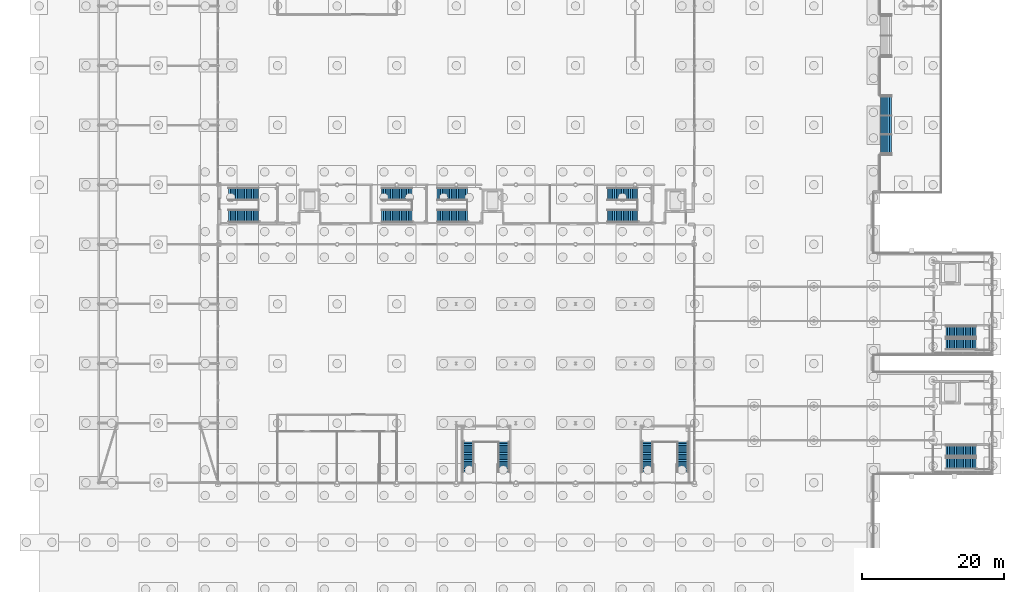
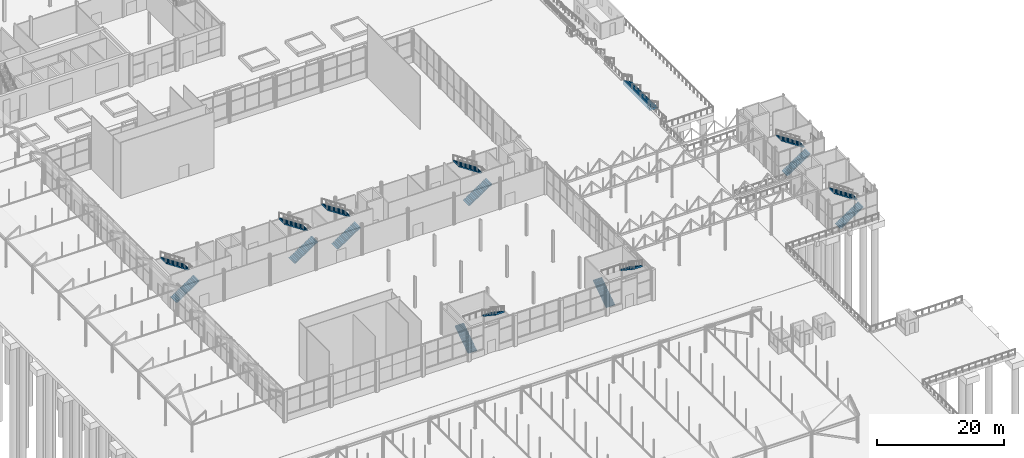
# One storey, part 192 of 212: 17 stair flights, 9 elements without a shape of their own.
"""IFC4 building model written with IfcOpenShell, lengths in metres."""

from ifc_helpers import new_model, si_unit, direction, frame, origin, place, context, subcontext, project, spatial, polyline, outline, extrude, material, type_object, element, aggregate, save


model = new_model("IFC4")

# Units and contexts
model_context = context("Model", 3, precision=1e-05, world=origin(), true_north=direction((0.0, 1.0)))
body_context = subcontext(model_context, "Body", "Model", "MODEL_VIEW")
ifc_project = project(units=[si_unit("LENGTHUNIT", "METRE"), si_unit("AREAUNIT", "SQUARE_METRE"), si_unit("VOLUMEUNIT", "CUBIC_METRE"), si_unit("PLANEANGLEUNIT", "RADIAN"), si_unit("MASSUNIT", "GRAM", prefix="KILO")], contexts=[model_context])

# Site, building, storey
site_placement = place(None, origin())
site = spatial("IfcSite", under=ifc_project, at=site_placement, CompositionType="ELEMENT")
building_placement = place(site_placement, origin())
building = spatial("IfcBuilding", under=site, at=building_placement, Name="Catenary Quay Ferry Terminal", CompositionType="ELEMENT")
storey_placement = place(building_placement, origin())
storey = spatial("IfcBuildingStorey", under=building, at=storey_placement, Name="L00", CompositionType="ELEMENT", Elevation=0.0)

# Stair, stair flight
ifc_material_1 = material(Name="Concrete C35/45", Category="concrete")
stair_type_1 = type_object("IfcStairType", Name="RTS8400", PredefinedType="STRAIGHT_RUN_STAIR", material=ifc_material_1)
stair_1_placement = place(storey_placement, origin())
stair_1 = element("IfcStair", 1, at=stair_1_placement, inside=storey, type_object=stair_type_1, Name="River steps 1", PredefinedType="STRAIGHT_RUN_STAIR")
ifc_material_2 = material(Name="Concrete C35/45", Category="concrete")
stair_flight_type_1 = type_object("IfcStairFlightType", Name="RTF8400", PredefinedType="STRAIGHT", material=ifc_material_2)
stair_flight_1_placement = place(storey_placement, frame((120.1298828125, 117.60009765625, -0.89990234375), z_axis=(0.0, 0.0, 1.0), x_axis=(-1.0, 0.0, 0.0)))
stair_flight_1 = element("IfcStairFlight", 2, at=stair_flight_1_placement, type_object=stair_flight_type_1, Name="RS1 flight 1", NumberOfRisers=6, NumberOfTreads=5, PredefinedType="STRAIGHT", RiserHeight=0.15, TreadLength=0.3, context=body_context, shape_type="SweptSolid", body=[
    extrude(outline(polyline([(0.0, 0.0), (0.0, 0.021484375), (0.0, 0.04296875), (0.0, 0.064208984375), (0.0, 0.085693359375), (0.0, 0.107177734375), (0.0, 0.128662109375), (0.0, 0.14990234375), (0.300048828125, 0.14990234375), (0.300048828125, 0.300048828125), (0.60009765625, 0.300048828125), (0.60009765625, 0.449951171875), (0.89990234375, 0.449951171875), (0.89990234375, 0.60009765625), (1.199951171875, 0.60009765625), (1.199951171875, 0.75), (1.5, 0.75), (1.5, 0.89990234375), (1.510009765625, 0.89990234375), (1.510009765625, 0.771484375), (1.510009765625, 0.64306640625), (1.510009765625, 0.5146484375), (1.510009765625, 0.38623046875), (1.510009765625, 0.257568359375), (1.510009765625, 0.129150390625), (1.510009765625, 0.000732421875), (1.49853515625, 0.0), (0.0, 0.0)])), frame((0.0, 4.199951171875, 0.0), z_axis=(0.0, -1.0, 0.0), x_axis=(1.0, 0.0, 0.0)), (0.0, 0.0, 1.0), 8.39990234375),
])
aggregate(stair_1, [stair_flight_1])

# Stair, stair flights
ifc_material_3 = material(Name="Concrete C35/45", Category="concrete")
stair_type_2 = type_object("IfcStairType", Name="STX1600", PredefinedType="HALF_TURN_STAIR", material=ifc_material_3)
stair_2_placement = place(storey_placement, origin())
stair_2 = element("IfcStair", 3, at=stair_2_placement, inside=storey, type_object=stair_type_2, Name="Stair HB1 L00 to L01", PredefinedType="HALF_TURN_STAIR")
ifc_material_4 = material(Name="Concrete C35/45", Category="concrete")
stair_flight_type_2 = type_object("IfcStairFlightType", Name="SFX1600", PredefinedType="STRAIGHT", material=ifc_material_4)
stair_flight_2_placement = place(storey_placement, frame((127.800048828125, 69.89990234375, 0.0), z_axis=(0.0, 0.0, 1.0), x_axis=(1.0, 0.0, 0.0)))
stair_flight_2 = element("IfcStairFlight", 4, at=stair_flight_2_placement, type_object=stair_flight_type_2, Name="HB1-L00 flight 1", NumberOfRisers=18, NumberOfTreads=17, PredefinedType="STRAIGHT", RiserHeight=0.166666667, TreadLength=0.25, context=body_context, shape_type="SweptSolid", body=[
    extrude(outline(polyline([(-0.010009765625, 0.0), (-0.010009765625, 0.02392578125), (-0.010009765625, 0.047607421875), (-0.010009765625, 0.071533203125), (-0.010009765625, 0.09521484375), (-0.010009765625, 0.119140625), (-0.010009765625, 0.142822265625), (-0.010009765625, 0.166748046875), (0.0, 0.166748046875), (0.25, 0.166748046875), (0.25, 0.333251953125), (0.5, 0.333251953125), (0.5, 0.5), (0.75, 0.5), (0.75, 0.666748046875), (1.0, 0.666748046875), (1.0, 0.833251953125), (1.25, 0.833251953125), (1.25, 1.0), (1.5, 1.0), (1.5, 1.166748046875), (1.75, 1.166748046875), (1.75, 1.333251953125), (2.0, 1.333251953125), (2.0, 1.5), (2.25, 1.5), (2.25, 1.666748046875), (2.5, 1.666748046875), (2.5, 1.833251953125), (2.75, 1.833251953125), (2.75, 2.0), (3.0, 2.0), (3.0, 2.166748046875), (3.25, 2.166748046875), (3.25, 2.333251953125), (3.5, 2.333251953125), (3.5, 2.5), (3.75, 2.5), (3.75, 2.666748046875), (4.0, 2.666748046875), (4.0, 2.833251953125), (4.25, 2.833251953125), (4.25, 3.0), (4.25, 2.950439453125), (4.25, 2.90087890625), (4.25, 2.851318359375), (4.25, 2.8017578125), (4.25, 2.752197265625), (4.25, 2.70263671875), (4.25, 2.653076171875), (0.270263671875, 0.0), (-0.010009765625, 0.0)])), frame((0.0, 0.800048828125, 0.0), z_axis=(0.0, -1.0, 0.0), x_axis=(1.0, 0.0, 0.0)), (0.0, 0.0, 1.0), 1.60009765625),
])
stair_flight_3_placement = place(storey_placement, frame((132.050048828125, 71.699951171875, 3.0), z_axis=(0.0, 0.0, 1.0), x_axis=(-1.0, 0.0, 0.0)))
stair_flight_3 = element("IfcStairFlight", 5, at=stair_flight_3_placement, type_object=stair_flight_type_2, Name="HB1-L00 flight 2", NumberOfRisers=18, NumberOfTreads=17, PredefinedType="STRAIGHT", RiserHeight=0.166666667, TreadLength=0.25, context=body_context, shape_type="SweptSolid", body=[
    extrude(outline(polyline([(0.0, 0.0), (0.0, 0.02392578125), (0.0, 0.047607421875), (0.0, 0.071533203125), (0.0, 0.09521484375), (0.0, 0.119140625), (0.0, 0.142822265625), (0.0, 0.166748046875), (0.25, 0.166748046875), (0.25, 0.333251953125), (0.5, 0.333251953125), (0.5, 0.5), (0.75, 0.5), (0.75, 0.666748046875), (1.0, 0.666748046875), (1.0, 0.833251953125), (1.25, 0.833251953125), (1.25, 1.0), (1.5, 1.0), (1.5, 1.166748046875), (1.75, 1.166748046875), (1.75, 1.333251953125), (2.0, 1.333251953125), (2.0, 1.5), (2.25, 1.5), (2.25, 1.666748046875), (2.5, 1.666748046875), (2.5, 1.833251953125), (2.75, 1.833251953125), (2.75, 2.0), (3.0, 2.0), (3.0, 2.166748046875), (3.25, 2.166748046875), (3.25, 2.333251953125), (3.5, 2.333251953125), (3.5, 2.5), (3.75, 2.5), (3.75, 2.666748046875), (4.0, 2.666748046875), (4.0, 2.833251953125), (4.25, 2.833251953125), (4.25, 3.0), (4.260009765625, 3.0), (4.260009765625, 2.950439453125), (4.260009765625, 2.90087890625), (4.260009765625, 2.851318359375), (4.260009765625, 2.8017578125), (4.260009765625, 2.752197265625), (4.260009765625, 2.70263671875), (4.260009765625, 2.653076171875), (0.270263671875, 0.0), (0.0, 0.0)])), frame((0.0, 0.800048828125, 0.0), z_axis=(0.0, -1.0, 0.0), x_axis=(1.0, 0.0, 0.0)), (0.0, 0.0, 1.0), 1.60009765625),
])
aggregate(stair_2, [stair_flight_2, stair_flight_3])

stair_3_placement = place(storey_placement, origin())
stair_3 = element("IfcStair", 6, at=stair_3_placement, inside=storey, type_object=stair_type_2, Name="Stair HB2 L00 to L01", PredefinedType="HALF_TURN_STAIR")
stair_flight_4_placement = place(storey_placement, frame((127.800048828125, 86.699951171875, 0.0), z_axis=(0.0, 0.0, 1.0), x_axis=(1.0, 0.0, 0.0)))
stair_flight_4 = element("IfcStairFlight", 7, at=stair_flight_4_placement, type_object=stair_flight_type_2, Name="HB2-L00 flight 1", NumberOfRisers=18, NumberOfTreads=17, PredefinedType="STRAIGHT", RiserHeight=0.166666667, TreadLength=0.25, context=body_context, shape_type="SweptSolid", body=[
    extrude(outline(polyline([(-0.010009765625, 0.0), (-0.010009765625, 0.02392578125), (-0.010009765625, 0.047607421875), (-0.010009765625, 0.071533203125), (-0.010009765625, 0.09521484375), (-0.010009765625, 0.119140625), (-0.010009765625, 0.142822265625), (-0.010009765625, 0.166748046875), (0.0, 0.166748046875), (0.25, 0.166748046875), (0.25, 0.333251953125), (0.5, 0.333251953125), (0.5, 0.5), (0.75, 0.5), (0.75, 0.666748046875), (1.0, 0.666748046875), (1.0, 0.833251953125), (1.25, 0.833251953125), (1.25, 1.0), (1.5, 1.0), (1.5, 1.166748046875), (1.75, 1.166748046875), (1.75, 1.333251953125), (2.0, 1.333251953125), (2.0, 1.5), (2.25, 1.5), (2.25, 1.666748046875), (2.5, 1.666748046875), (2.5, 1.833251953125), (2.75, 1.833251953125), (2.75, 2.0), (3.0, 2.0), (3.0, 2.166748046875), (3.25, 2.166748046875), (3.25, 2.333251953125), (3.5, 2.333251953125), (3.5, 2.5), (3.75, 2.5), (3.75, 2.666748046875), (4.0, 2.666748046875), (4.0, 2.833251953125), (4.25, 2.833251953125), (4.25, 3.0), (4.25, 2.950439453125), (4.25, 2.90087890625), (4.25, 2.851318359375), (4.25, 2.8017578125), (4.25, 2.752197265625), (4.25, 2.70263671875), (4.25, 2.653076171875), (0.270263671875, 0.0), (-0.010009765625, 0.0)])), frame((0.0, 0.800048828125, 0.0), z_axis=(0.0, -1.0, 0.0), x_axis=(1.0, 0.0, 0.0)), (0.0, 0.0, 1.0), 1.60009765625),
])
stair_flight_5_placement = place(storey_placement, frame((132.050048828125, 88.5, 3.0), z_axis=(0.0, 0.0, 1.0), x_axis=(-1.0, 0.0, 0.0)))
stair_flight_5 = element("IfcStairFlight", 8, at=stair_flight_5_placement, type_object=stair_flight_type_2, Name="HB2-L00 flight 2", NumberOfRisers=18, NumberOfTreads=17, PredefinedType="STRAIGHT", RiserHeight=0.166666667, TreadLength=0.25, context=body_context, shape_type="SweptSolid", body=[
    extrude(outline(polyline([(0.0, 0.0), (0.0, 0.02392578125), (0.0, 0.047607421875), (0.0, 0.071533203125), (0.0, 0.09521484375), (0.0, 0.119140625), (0.0, 0.142822265625), (0.0, 0.166748046875), (0.25, 0.166748046875), (0.25, 0.333251953125), (0.5, 0.333251953125), (0.5, 0.5), (0.75, 0.5), (0.75, 0.666748046875), (1.0, 0.666748046875), (1.0, 0.833251953125), (1.25, 0.833251953125), (1.25, 1.0), (1.5, 1.0), (1.5, 1.166748046875), (1.75, 1.166748046875), (1.75, 1.333251953125), (2.0, 1.333251953125), (2.0, 1.5), (2.25, 1.5), (2.25, 1.666748046875), (2.5, 1.666748046875), (2.5, 1.833251953125), (2.75, 1.833251953125), (2.75, 2.0), (3.0, 2.0), (3.0, 2.166748046875), (3.25, 2.166748046875), (3.25, 2.333251953125), (3.5, 2.333251953125), (3.5, 2.5), (3.75, 2.5), (3.75, 2.666748046875), (4.0, 2.666748046875), (4.0, 2.833251953125), (4.25, 2.833251953125), (4.25, 3.0), (4.260009765625, 3.0), (4.260009765625, 2.950439453125), (4.260009765625, 2.90087890625), (4.260009765625, 2.851318359375), (4.260009765625, 2.8017578125), (4.260009765625, 2.752197265625), (4.260009765625, 2.70263671875), (4.260009765625, 2.653076171875), (0.270263671875, 0.0), (0.0, 0.0)])), frame((0.0, 0.800048828125, 0.0), z_axis=(0.0, -1.0, 0.0), x_axis=(1.0, 0.0, 0.0)), (0.0, 0.0, 1.0), 1.60009765625),
])
aggregate(stair_3, [stair_flight_4, stair_flight_5])

stair_4_placement = place(storey_placement, origin())
stair_4 = element("IfcStair", 9, at=stair_4_placement, inside=storey, type_object=stair_type_2, Name="Stair TS5 L00 to L01", PredefinedType="HALF_TURN_STAIR")
stair_flight_6_placement = place(storey_placement, frame((85.699951171875, 68.699951171875, 0.0), z_axis=(0.0, 0.0, 1.0), x_axis=(0.0, 1.0, 0.0)))
stair_flight_6 = element("IfcStairFlight", 10, at=stair_flight_6_placement, type_object=stair_flight_type_2, Name="TS5-L00 flight 1", NumberOfRisers=18, NumberOfTreads=17, PredefinedType="STRAIGHT", RiserHeight=0.166666667, TreadLength=0.25, context=body_context, shape_type="SweptSolid", body=[
    extrude(outline(polyline([(-0.010009765625, 0.0), (-0.010009765625, 0.02392578125), (-0.010009765625, 0.047607421875), (-0.010009765625, 0.071533203125), (-0.010009765625, 0.09521484375), (-0.010009765625, 0.119140625), (-0.010009765625, 0.142822265625), (-0.010009765625, 0.166748046875), (0.0, 0.166748046875), (0.25, 0.166748046875), (0.25, 0.333251953125), (0.5, 0.333251953125), (0.5, 0.5), (0.75, 0.5), (0.75, 0.666748046875), (1.0, 0.666748046875), (1.0, 0.833251953125), (1.25, 0.833251953125), (1.25, 1.0), (1.5, 1.0), (1.5, 1.166748046875), (1.75, 1.166748046875), (1.75, 1.333251953125), (2.0, 1.333251953125), (2.0, 1.5), (2.25, 1.5), (2.25, 1.666748046875), (2.5, 1.666748046875), (2.5, 1.833251953125), (2.75, 1.833251953125), (2.75, 2.0), (3.0, 2.0), (3.0, 2.166748046875), (3.25, 2.166748046875), (3.25, 2.333251953125), (3.5, 2.333251953125), (3.5, 2.5), (3.75, 2.5), (3.75, 2.666748046875), (4.0, 2.666748046875), (4.0, 2.833251953125), (4.25, 2.833251953125), (4.25, 3.0), (4.25, 2.950439453125), (4.25, 2.90087890625), (4.25, 2.851318359375), (4.25, 2.8017578125), (4.25, 2.752197265625), (4.25, 2.70263671875), (4.25, 2.653076171875), (0.270263671875, 0.0), (-0.010009765625, 0.0)])), frame((0.0, 0.800048828125, 0.0), z_axis=(0.0, -1.0, 0.0), x_axis=(1.0, 0.0, 0.0)), (0.0, 0.0, 1.0), 1.60009765625),
])
stair_flight_7_placement = place(storey_placement, frame((90.699951171875, 72.949951171875, 3.0), z_axis=(0.0, 0.0, 1.0), x_axis=(0.0, -1.0, 0.0)))
stair_flight_7 = element("IfcStairFlight", 11, at=stair_flight_7_placement, type_object=stair_flight_type_2, Name="TS5-L00 flight 2", NumberOfRisers=18, NumberOfTreads=17, PredefinedType="STRAIGHT", RiserHeight=0.166666667, TreadLength=0.25, context=body_context, shape_type="SweptSolid", body=[
    extrude(outline(polyline([(0.0, 0.0), (0.0, 0.02392578125), (0.0, 0.047607421875), (0.0, 0.071533203125), (0.0, 0.09521484375), (0.0, 0.119140625), (0.0, 0.142822265625), (0.0, 0.166748046875), (0.25, 0.166748046875), (0.25, 0.333251953125), (0.5, 0.333251953125), (0.5, 0.5), (0.75, 0.5), (0.75, 0.666748046875), (1.0, 0.666748046875), (1.0, 0.833251953125), (1.25, 0.833251953125), (1.25, 1.0), (1.5, 1.0), (1.5, 1.166748046875), (1.75, 1.166748046875), (1.75, 1.333251953125), (2.0, 1.333251953125), (2.0, 1.5), (2.25, 1.5), (2.25, 1.666748046875), (2.5, 1.666748046875), (2.5, 1.833251953125), (2.75, 1.833251953125), (2.75, 2.0), (3.0, 2.0), (3.0, 2.166748046875), (3.25, 2.166748046875), (3.25, 2.333251953125), (3.5, 2.333251953125), (3.5, 2.5), (3.75, 2.5), (3.75, 2.666748046875), (4.0, 2.666748046875), (4.0, 2.833251953125), (4.25, 2.833251953125), (4.25, 3.0), (4.260009765625, 3.0), (4.260009765625, 2.950439453125), (4.260009765625, 2.90087890625), (4.260009765625, 2.851318359375), (4.260009765625, 2.8017578125), (4.260009765625, 2.752197265625), (4.260009765625, 2.70263671875), (4.260009765625, 2.653076171875), (0.270263671875, 0.0), (0.0, 0.0)])), frame((0.0, 0.800048828125, 0.0), z_axis=(0.0, -1.0, 0.0), x_axis=(1.0, 0.0, 0.0)), (0.0, 0.0, 1.0), 1.60009765625),
])
aggregate(stair_4, [stair_flight_6, stair_flight_7])

stair_5_placement = place(storey_placement, origin())
stair_5 = element("IfcStair", 12, at=stair_5_placement, inside=storey, type_object=stair_type_2, Name="Stair TS6 L00 to L01", PredefinedType="HALF_TURN_STAIR")
stair_flight_8_placement = place(storey_placement, frame((60.5, 68.699951171875, 0.0), z_axis=(0.0, 0.0, 1.0), x_axis=(0.0, 1.0, 0.0)))
stair_flight_8 = element("IfcStairFlight", 13, at=stair_flight_8_placement, type_object=stair_flight_type_2, Name="TS6-L00 flight 1", NumberOfRisers=18, NumberOfTreads=17, PredefinedType="STRAIGHT", RiserHeight=0.166666667, TreadLength=0.25, context=body_context, shape_type="SweptSolid", body=[
    extrude(outline(polyline([(-0.010009765625, 0.0), (-0.010009765625, 0.02392578125), (-0.010009765625, 0.047607421875), (-0.010009765625, 0.071533203125), (-0.010009765625, 0.09521484375), (-0.010009765625, 0.119140625), (-0.010009765625, 0.142822265625), (-0.010009765625, 0.166748046875), (0.0, 0.166748046875), (0.25, 0.166748046875), (0.25, 0.333251953125), (0.5, 0.333251953125), (0.5, 0.5), (0.75, 0.5), (0.75, 0.666748046875), (1.0, 0.666748046875), (1.0, 0.833251953125), (1.25, 0.833251953125), (1.25, 1.0), (1.5, 1.0), (1.5, 1.166748046875), (1.75, 1.166748046875), (1.75, 1.333251953125), (2.0, 1.333251953125), (2.0, 1.5), (2.25, 1.5), (2.25, 1.666748046875), (2.5, 1.666748046875), (2.5, 1.833251953125), (2.75, 1.833251953125), (2.75, 2.0), (3.0, 2.0), (3.0, 2.166748046875), (3.25, 2.166748046875), (3.25, 2.333251953125), (3.5, 2.333251953125), (3.5, 2.5), (3.75, 2.5), (3.75, 2.666748046875), (4.0, 2.666748046875), (4.0, 2.833251953125), (4.25, 2.833251953125), (4.25, 3.0), (4.25, 2.950439453125), (4.25, 2.90087890625), (4.25, 2.851318359375), (4.25, 2.8017578125), (4.25, 2.752197265625), (4.25, 2.70263671875), (4.25, 2.653076171875), (0.270263671875, 0.0), (-0.010009765625, 0.0)])), frame((0.0, 0.800048828125, 0.0), z_axis=(0.0, -1.0, 0.0), x_axis=(1.0, 0.0, 0.0)), (0.0, 0.0, 1.0), 1.60009765625),
])
stair_flight_9_placement = place(storey_placement, frame((65.5, 72.949951171875, 3.0), z_axis=(0.0, 0.0, 1.0), x_axis=(0.0, -1.0, 0.0)))
stair_flight_9 = element("IfcStairFlight", 14, at=stair_flight_9_placement, type_object=stair_flight_type_2, Name="TS6-L00 flight 2", NumberOfRisers=18, NumberOfTreads=17, PredefinedType="STRAIGHT", RiserHeight=0.166666667, TreadLength=0.25, context=body_context, shape_type="SweptSolid", body=[
    extrude(outline(polyline([(0.0, 0.0), (0.0, 0.02392578125), (0.0, 0.047607421875), (0.0, 0.071533203125), (0.0, 0.09521484375), (0.0, 0.119140625), (0.0, 0.142822265625), (0.0, 0.166748046875), (0.25, 0.166748046875), (0.25, 0.333251953125), (0.5, 0.333251953125), (0.5, 0.5), (0.75, 0.5), (0.75, 0.666748046875), (1.0, 0.666748046875), (1.0, 0.833251953125), (1.25, 0.833251953125), (1.25, 1.0), (1.5, 1.0), (1.5, 1.166748046875), (1.75, 1.166748046875), (1.75, 1.333251953125), (2.0, 1.333251953125), (2.0, 1.5), (2.25, 1.5), (2.25, 1.666748046875), (2.5, 1.666748046875), (2.5, 1.833251953125), (2.75, 1.833251953125), (2.75, 2.0), (3.0, 2.0), (3.0, 2.166748046875), (3.25, 2.166748046875), (3.25, 2.333251953125), (3.5, 2.333251953125), (3.5, 2.5), (3.75, 2.5), (3.75, 2.666748046875), (4.0, 2.666748046875), (4.0, 2.833251953125), (4.25, 2.833251953125), (4.25, 3.0), (4.260009765625, 3.0), (4.260009765625, 2.950439453125), (4.260009765625, 2.90087890625), (4.260009765625, 2.851318359375), (4.260009765625, 2.8017578125), (4.260009765625, 2.752197265625), (4.260009765625, 2.70263671875), (4.260009765625, 2.653076171875), (0.270263671875, 0.0), (0.0, 0.0)])), frame((0.0, 0.800048828125, 0.0), z_axis=(0.0, -1.0, 0.0), x_axis=(1.0, 0.0, 0.0)), (0.0, 0.0, 1.0), 1.60009765625),
])
aggregate(stair_5, [stair_flight_8, stair_flight_9])

ifc_material_5 = material(Name="Concrete C35/45", Category="concrete")
stair_type_3 = type_object("IfcStairType", Name="STX1800", PredefinedType="HALF_TURN_STAIR", material=ifc_material_5)
stair_6_placement = place(storey_placement, origin())
stair_6 = element("IfcStair", 15, at=stair_6_placement, inside=storey, type_object=stair_type_3, Name="Stair TS1 L00 to L01", PredefinedType="HALF_TURN_STAIR")
ifc_material_6 = material(Name="Concrete C35/45", Category="concrete")
stair_flight_type_3 = type_object("IfcStairFlightType", Name="SFX1800", PredefinedType="STRAIGHT", material=ifc_material_6)
stair_flight_10_placement = place(storey_placement, frame((26.699951171875, 104.800048828125, 0.0), z_axis=(0.0, 0.0, 1.0), x_axis=(1.0, 0.0, 0.0)))
stair_flight_10 = element("IfcStairFlight", 16, at=stair_flight_10_placement, type_object=stair_flight_type_3, Name="TS1-L00 flight 1", NumberOfRisers=18, NumberOfTreads=17, PredefinedType="STRAIGHT", RiserHeight=0.166666667, TreadLength=0.25, context=body_context, shape_type="SweptSolid", body=[
    extrude(outline(polyline([(-0.010009765625, 0.0), (-0.010009765625, 0.02392578125), (-0.010009765625, 0.047607421875), (-0.010009765625, 0.071533203125), (-0.010009765625, 0.09521484375), (-0.010009765625, 0.119140625), (-0.010009765625, 0.142822265625), (-0.010009765625, 0.166748046875), (0.0, 0.166748046875), (0.25, 0.166748046875), (0.25, 0.333251953125), (0.5, 0.333251953125), (0.5, 0.5), (0.75, 0.5), (0.75, 0.666748046875), (1.0, 0.666748046875), (1.0, 0.833251953125), (1.25, 0.833251953125), (1.25, 1.0), (1.5, 1.0), (1.5, 1.166748046875), (1.75, 1.166748046875), (1.75, 1.333251953125), (2.0, 1.333251953125), (2.0, 1.5), (2.25, 1.5), (2.25, 1.666748046875), (2.5, 1.666748046875), (2.5, 1.833251953125), (2.75, 1.833251953125), (2.75, 2.0), (3.0, 2.0), (3.0, 2.166748046875), (3.25, 2.166748046875), (3.25, 2.333251953125), (3.5, 2.333251953125), (3.5, 2.5), (3.75, 2.5), (3.75, 2.666748046875), (4.0, 2.666748046875), (4.0, 2.833251953125), (4.25, 2.833251953125), (4.25, 3.0), (4.25, 2.950439453125), (4.25, 2.90087890625), (4.25, 2.851318359375), (4.25, 2.8017578125), (4.25, 2.752197265625), (4.25, 2.70263671875), (4.25, 2.653076171875), (0.270263671875, 0.0), (-0.010009765625, 0.0)])), frame((0.0, 0.89990234375, 0.0), z_axis=(0.0, -1.0, 0.0), x_axis=(1.0, 0.0, 0.0)), (0.0, 0.0, 1.0), 1.800048828125),
])
stair_flight_11_placement = place(storey_placement, frame((30.949951171875, 107.89990234375, 3.0), z_axis=(0.0, 0.0, 1.0), x_axis=(-1.0, 0.0, 0.0)))
stair_flight_11 = element("IfcStairFlight", 17, at=stair_flight_11_placement, type_object=stair_flight_type_3, Name="TS1-L00 flight 2", NumberOfRisers=18, NumberOfTreads=17, PredefinedType="STRAIGHT", RiserHeight=0.166666667, TreadLength=0.25, context=body_context, shape_type="SweptSolid", body=[
    extrude(outline(polyline([(0.0, 0.0), (0.0, 0.02392578125), (0.0, 0.047607421875), (0.0, 0.071533203125), (0.0, 0.09521484375), (0.0, 0.119140625), (0.0, 0.142822265625), (0.0, 0.166748046875), (0.25, 0.166748046875), (0.25, 0.333251953125), (0.5, 0.333251953125), (0.5, 0.5), (0.75, 0.5), (0.75, 0.666748046875), (1.0, 0.666748046875), (1.0, 0.833251953125), (1.25, 0.833251953125), (1.25, 1.0), (1.5, 1.0), (1.5, 1.166748046875), (1.75, 1.166748046875), (1.75, 1.333251953125), (2.0, 1.333251953125), (2.0, 1.5), (2.25, 1.5), (2.25, 1.666748046875), (2.5, 1.666748046875), (2.5, 1.833251953125), (2.75, 1.833251953125), (2.75, 2.0), (3.0, 2.0), (3.0, 2.166748046875), (3.25, 2.166748046875), (3.25, 2.333251953125), (3.5, 2.333251953125), (3.5, 2.5), (3.75, 2.5), (3.75, 2.666748046875), (4.0, 2.666748046875), (4.0, 2.833251953125), (4.25, 2.833251953125), (4.25, 3.0), (4.260009765625, 3.0), (4.260009765625, 2.950439453125), (4.260009765625, 2.90087890625), (4.260009765625, 2.851318359375), (4.260009765625, 2.8017578125), (4.260009765625, 2.752197265625), (4.260009765625, 2.70263671875), (4.260009765625, 2.653076171875), (0.270263671875, 0.0), (0.0, 0.0)])), frame((0.0, 0.89990234375, 0.0), z_axis=(0.0, -1.0, 0.0), x_axis=(1.0, 0.0, 0.0)), (0.0, 0.0, 1.0), 1.800048828125),
])
aggregate(stair_6, [stair_flight_10, stair_flight_11])

stair_7_placement = place(storey_placement, origin())
stair_7 = element("IfcStair", 18, at=stair_7_placement, inside=storey, type_object=stair_type_3, Name="Stair TS2 L00 to L01", PredefinedType="HALF_TURN_STAIR")
stair_flight_12_placement = place(storey_placement, frame((48.300048828125, 104.800048828125, 0.0), z_axis=(0.0, 0.0, 1.0), x_axis=(1.0, 0.0, 0.0)))
stair_flight_12 = element("IfcStairFlight", 19, at=stair_flight_12_placement, type_object=stair_flight_type_3, Name="TS2-L00 flight 1", NumberOfRisers=18, NumberOfTreads=17, PredefinedType="STRAIGHT", RiserHeight=0.166666667, TreadLength=0.25, context=body_context, shape_type="SweptSolid", body=[
    extrude(outline(polyline([(-0.010009765625, 0.0), (-0.010009765625, 0.02392578125), (-0.010009765625, 0.047607421875), (-0.010009765625, 0.071533203125), (-0.010009765625, 0.09521484375), (-0.010009765625, 0.119140625), (-0.010009765625, 0.142822265625), (-0.010009765625, 0.166748046875), (0.0, 0.166748046875), (0.25, 0.166748046875), (0.25, 0.333251953125), (0.5, 0.333251953125), (0.5, 0.5), (0.75, 0.5), (0.75, 0.666748046875), (1.0, 0.666748046875), (1.0, 0.833251953125), (1.25, 0.833251953125), (1.25, 1.0), (1.5, 1.0), (1.5, 1.166748046875), (1.75, 1.166748046875), (1.75, 1.333251953125), (2.0, 1.333251953125), (2.0, 1.5), (2.25, 1.5), (2.25, 1.666748046875), (2.5, 1.666748046875), (2.5, 1.833251953125), (2.75, 1.833251953125), (2.75, 2.0), (3.0, 2.0), (3.0, 2.166748046875), (3.25, 2.166748046875), (3.25, 2.333251953125), (3.5, 2.333251953125), (3.5, 2.5), (3.75, 2.5), (3.75, 2.666748046875), (4.0, 2.666748046875), (4.0, 2.833251953125), (4.25, 2.833251953125), (4.25, 3.0), (4.25, 2.950439453125), (4.25, 2.90087890625), (4.25, 2.851318359375), (4.25, 2.8017578125), (4.25, 2.752197265625), (4.25, 2.70263671875), (4.25, 2.653076171875), (0.270263671875, 0.0), (-0.010009765625, 0.0)])), frame((0.0, 0.89990234375, 0.0), z_axis=(0.0, -1.0, 0.0), x_axis=(1.0, 0.0, 0.0)), (0.0, 0.0, 1.0), 1.800048828125),
])
stair_flight_13_placement = place(storey_placement, frame((52.550048828125, 107.89990234375, 3.0), z_axis=(0.0, 0.0, 1.0), x_axis=(-1.0, 0.0, 0.0)))
stair_flight_13 = element("IfcStairFlight", 20, at=stair_flight_13_placement, type_object=stair_flight_type_3, Name="TS2-L00 flight 2", NumberOfRisers=18, NumberOfTreads=17, PredefinedType="STRAIGHT", RiserHeight=0.166666667, TreadLength=0.25, context=body_context, shape_type="SweptSolid", body=[
    extrude(outline(polyline([(0.0, 0.0), (0.0, 0.02392578125), (0.0, 0.047607421875), (0.0, 0.071533203125), (0.0, 0.09521484375), (0.0, 0.119140625), (0.0, 0.142822265625), (0.0, 0.166748046875), (0.25, 0.166748046875), (0.25, 0.333251953125), (0.5, 0.333251953125), (0.5, 0.5), (0.75, 0.5), (0.75, 0.666748046875), (1.0, 0.666748046875), (1.0, 0.833251953125), (1.25, 0.833251953125), (1.25, 1.0), (1.5, 1.0), (1.5, 1.166748046875), (1.75, 1.166748046875), (1.75, 1.333251953125), (2.0, 1.333251953125), (2.0, 1.5), (2.25, 1.5), (2.25, 1.666748046875), (2.5, 1.666748046875), (2.5, 1.833251953125), (2.75, 1.833251953125), (2.75, 2.0), (3.0, 2.0), (3.0, 2.166748046875), (3.25, 2.166748046875), (3.25, 2.333251953125), (3.5, 2.333251953125), (3.5, 2.5), (3.75, 2.5), (3.75, 2.666748046875), (4.0, 2.666748046875), (4.0, 2.833251953125), (4.25, 2.833251953125), (4.25, 3.0), (4.260009765625, 3.0), (4.260009765625, 2.950439453125), (4.260009765625, 2.90087890625), (4.260009765625, 2.851318359375), (4.260009765625, 2.8017578125), (4.260009765625, 2.752197265625), (4.260009765625, 2.70263671875), (4.260009765625, 2.653076171875), (0.270263671875, 0.0), (0.0, 0.0)])), frame((0.0, 0.89990234375, 0.0), z_axis=(0.0, -1.0, 0.0), x_axis=(1.0, 0.0, 0.0)), (0.0, 0.0, 1.0), 1.800048828125),
])
aggregate(stair_7, [stair_flight_12, stair_flight_13])

stair_8_placement = place(storey_placement, origin())
stair_8 = element("IfcStair", 21, at=stair_8_placement, inside=storey, type_object=stair_type_3, Name="Stair TS3 L00 to L01", PredefinedType="HALF_TURN_STAIR")
stair_flight_14_placement = place(storey_placement, frame((80.10009765625, 104.800048828125, 0.0), z_axis=(0.0, 0.0, 1.0), x_axis=(1.0, 0.0, 0.0)))
stair_flight_14 = element("IfcStairFlight", 22, at=stair_flight_14_placement, type_object=stair_flight_type_3, Name="TS3-L00 flight 1", NumberOfRisers=18, NumberOfTreads=17, PredefinedType="STRAIGHT", RiserHeight=0.166666667, TreadLength=0.25, context=body_context, shape_type="SweptSolid", body=[
    extrude(outline(polyline([(-0.010009765625, 0.0), (-0.010009765625, 0.02392578125), (-0.010009765625, 0.047607421875), (-0.010009765625, 0.071533203125), (-0.010009765625, 0.09521484375), (-0.010009765625, 0.119140625), (-0.010009765625, 0.142822265625), (-0.010009765625, 0.166748046875), (0.0, 0.166748046875), (0.25, 0.166748046875), (0.25, 0.333251953125), (0.5, 0.333251953125), (0.5, 0.5), (0.75, 0.5), (0.75, 0.666748046875), (1.0, 0.666748046875), (1.0, 0.833251953125), (1.25, 0.833251953125), (1.25, 1.0), (1.5, 1.0), (1.5, 1.166748046875), (1.75, 1.166748046875), (1.75, 1.333251953125), (2.0, 1.333251953125), (2.0, 1.5), (2.25, 1.5), (2.25, 1.666748046875), (2.5, 1.666748046875), (2.5, 1.833251953125), (2.75, 1.833251953125), (2.75, 2.0), (3.0, 2.0), (3.0, 2.166748046875), (3.25, 2.166748046875), (3.25, 2.333251953125), (3.5, 2.333251953125), (3.5, 2.5), (3.75, 2.5), (3.75, 2.666748046875), (4.0, 2.666748046875), (4.0, 2.833251953125), (4.25, 2.833251953125), (4.25, 3.0), (4.25, 2.950439453125), (4.25, 2.90087890625), (4.25, 2.851318359375), (4.25, 2.8017578125), (4.25, 2.752197265625), (4.25, 2.70263671875), (4.25, 2.653076171875), (0.270263671875, 0.0), (-0.010009765625, 0.0)])), frame((0.0, 0.89990234375, 0.0), z_axis=(0.0, -1.0, 0.0), x_axis=(1.0, 0.0, 0.0)), (0.0, 0.0, 1.0), 1.800048828125),
])
stair_flight_15_placement = place(storey_placement, frame((84.35009765625, 107.89990234375, 3.0), z_axis=(0.0, 0.0, 1.0), x_axis=(-1.0, 0.0, 0.0)))
stair_flight_15 = element("IfcStairFlight", 23, at=stair_flight_15_placement, type_object=stair_flight_type_3, Name="TS3-L00 flight 2", NumberOfRisers=18, NumberOfTreads=17, PredefinedType="STRAIGHT", RiserHeight=0.166666667, TreadLength=0.25, context=body_context, shape_type="SweptSolid", body=[
    extrude(outline(polyline([(0.0, 0.0), (0.0, 0.02392578125), (0.0, 0.047607421875), (0.0, 0.071533203125), (0.0, 0.09521484375), (0.0, 0.119140625), (0.0, 0.142822265625), (0.0, 0.166748046875), (0.25, 0.166748046875), (0.25, 0.333251953125), (0.5, 0.333251953125), (0.5, 0.5), (0.75, 0.5), (0.75, 0.666748046875), (1.0, 0.666748046875), (1.0, 0.833251953125), (1.25, 0.833251953125), (1.25, 1.0), (1.5, 1.0), (1.5, 1.166748046875), (1.75, 1.166748046875), (1.75, 1.333251953125), (2.0, 1.333251953125), (2.0, 1.5), (2.25, 1.5), (2.25, 1.666748046875), (2.5, 1.666748046875), (2.5, 1.833251953125), (2.75, 1.833251953125), (2.75, 2.0), (3.0, 2.0), (3.0, 2.166748046875), (3.25, 2.166748046875), (3.25, 2.333251953125), (3.5, 2.333251953125), (3.5, 2.5), (3.75, 2.5), (3.75, 2.666748046875), (4.0, 2.666748046875), (4.0, 2.833251953125), (4.25, 2.833251953125), (4.25, 3.0), (4.260009765625, 3.0), (4.260009765625, 2.950439453125), (4.260009765625, 2.90087890625), (4.260009765625, 2.851318359375), (4.260009765625, 2.8017578125), (4.260009765625, 2.752197265625), (4.260009765625, 2.70263671875), (4.260009765625, 2.653076171875), (0.270263671875, 0.0), (0.0, 0.0)])), frame((0.0, 0.89990234375, 0.0), z_axis=(0.0, -1.0, 0.0), x_axis=(1.0, 0.0, 0.0)), (0.0, 0.0, 1.0), 1.800048828125),
])
aggregate(stair_8, [stair_flight_14, stair_flight_15])

stair_9_placement = place(storey_placement, origin())
stair_9 = element("IfcStair", 24, at=stair_9_placement, inside=storey, type_object=stair_type_3, Name="Stair TS4 L00 to L01", PredefinedType="HALF_TURN_STAIR")
stair_flight_16_placement = place(storey_placement, frame((56.10009765625, 104.800048828125, 0.0), z_axis=(0.0, 0.0, 1.0), x_axis=(1.0, 0.0, 0.0)))
stair_flight_16 = element("IfcStairFlight", 25, at=stair_flight_16_placement, type_object=stair_flight_type_3, Name="TS4-L00 flight 1", NumberOfRisers=18, NumberOfTreads=17, PredefinedType="STRAIGHT", RiserHeight=0.166666667, TreadLength=0.25, context=body_context, shape_type="SweptSolid", body=[
    extrude(outline(polyline([(-0.010009765625, 0.0), (-0.010009765625, 0.02392578125), (-0.010009765625, 0.047607421875), (-0.010009765625, 0.071533203125), (-0.010009765625, 0.09521484375), (-0.010009765625, 0.119140625), (-0.010009765625, 0.142822265625), (-0.010009765625, 0.166748046875), (0.0, 0.166748046875), (0.25, 0.166748046875), (0.25, 0.333251953125), (0.5, 0.333251953125), (0.5, 0.5), (0.75, 0.5), (0.75, 0.666748046875), (1.0, 0.666748046875), (1.0, 0.833251953125), (1.25, 0.833251953125), (1.25, 1.0), (1.5, 1.0), (1.5, 1.166748046875), (1.75, 1.166748046875), (1.75, 1.333251953125), (2.0, 1.333251953125), (2.0, 1.5), (2.25, 1.5), (2.25, 1.666748046875), (2.5, 1.666748046875), (2.5, 1.833251953125), (2.75, 1.833251953125), (2.75, 2.0), (3.0, 2.0), (3.0, 2.166748046875), (3.25, 2.166748046875), (3.25, 2.333251953125), (3.5, 2.333251953125), (3.5, 2.5), (3.75, 2.5), (3.75, 2.666748046875), (4.0, 2.666748046875), (4.0, 2.833251953125), (4.25, 2.833251953125), (4.25, 3.0), (4.25, 2.950439453125), (4.25, 2.90087890625), (4.25, 2.851318359375), (4.25, 2.8017578125), (4.25, 2.752197265625), (4.25, 2.70263671875), (4.25, 2.653076171875), (0.270263671875, 0.0), (-0.010009765625, 0.0)])), frame((0.0, 0.89990234375, 0.0), z_axis=(0.0, -1.0, 0.0), x_axis=(1.0, 0.0, 0.0)), (0.0, 0.0, 1.0), 1.800048828125),
])
stair_flight_17_placement = place(storey_placement, frame((60.35009765625, 107.89990234375, 3.0), z_axis=(0.0, 0.0, 1.0), x_axis=(-1.0, 0.0, 0.0)))
stair_flight_17 = element("IfcStairFlight", 26, at=stair_flight_17_placement, type_object=stair_flight_type_3, Name="TS4-L00 flight 2", NumberOfRisers=18, NumberOfTreads=17, PredefinedType="STRAIGHT", RiserHeight=0.166666667, TreadLength=0.25, context=body_context, shape_type="SweptSolid", body=[
    extrude(outline(polyline([(0.0, 0.0), (0.0, 0.02392578125), (0.0, 0.047607421875), (0.0, 0.071533203125), (0.0, 0.09521484375), (0.0, 0.119140625), (0.0, 0.142822265625), (0.0, 0.166748046875), (0.25, 0.166748046875), (0.25, 0.333251953125), (0.5, 0.333251953125), (0.5, 0.5), (0.75, 0.5), (0.75, 0.666748046875), (1.0, 0.666748046875), (1.0, 0.833251953125), (1.25, 0.833251953125), (1.25, 1.0), (1.5, 1.0), (1.5, 1.166748046875), (1.75, 1.166748046875), (1.75, 1.333251953125), (2.0, 1.333251953125), (2.0, 1.5), (2.25, 1.5), (2.25, 1.666748046875), (2.5, 1.666748046875), (2.5, 1.833251953125), (2.75, 1.833251953125), (2.75, 2.0), (3.0, 2.0), (3.0, 2.166748046875), (3.25, 2.166748046875), (3.25, 2.333251953125), (3.5, 2.333251953125), (3.5, 2.5), (3.75, 2.5), (3.75, 2.666748046875), (4.0, 2.666748046875), (4.0, 2.833251953125), (4.25, 2.833251953125), (4.25, 3.0), (4.260009765625, 3.0), (4.260009765625, 2.950439453125), (4.260009765625, 2.90087890625), (4.260009765625, 2.851318359375), (4.260009765625, 2.8017578125), (4.260009765625, 2.752197265625), (4.260009765625, 2.70263671875), (4.260009765625, 2.653076171875), (0.270263671875, 0.0), (0.0, 0.0)])), frame((0.0, 0.89990234375, 0.0), z_axis=(0.0, -1.0, 0.0), x_axis=(1.0, 0.0, 0.0)), (0.0, 0.0, 1.0), 1.800048828125),
])
aggregate(stair_9, [stair_flight_16, stair_flight_17])

save(model, "model.ifc")
